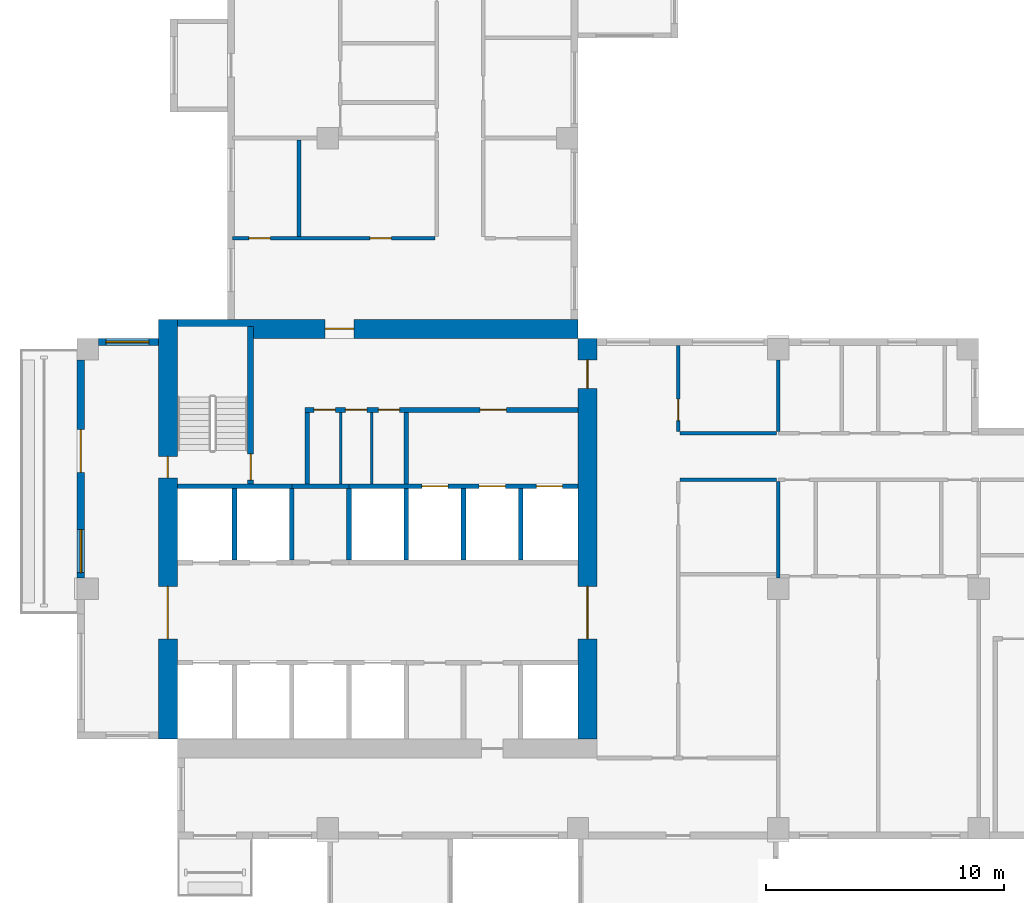
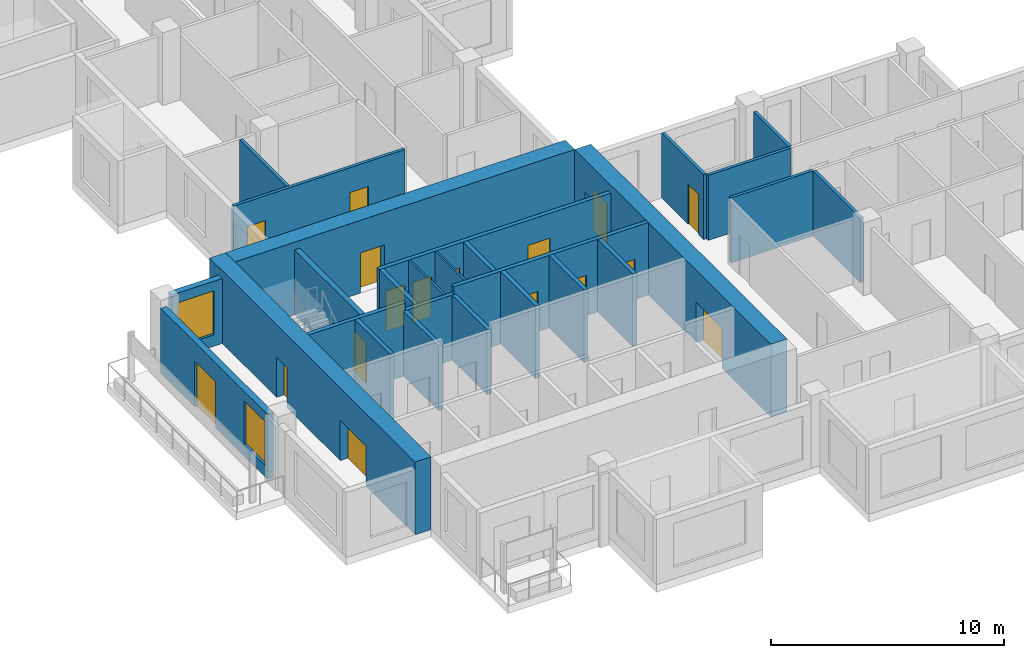
# One storey, part 3 of 12: 27 walls, 17 doors, 2 windows, 19 openings.
"""IFC4 building model written with IfcOpenShell, lengths in metres."""

from ifc_helpers import new_model, si_unit, direction, frame, frame_2d, origin, place, context, subcontext, project, spatial, rectangle, extrude, source, transform, mapped, material, layer, layer_set, type_object, element, fill, save


model = new_model("IFC4")

# Units and contexts
model_context = context("Model", 3, precision=1e-05, world=origin(), true_north=direction((0.0, 1.0)))
body_context = subcontext(model_context, "Body", "Model", "MODEL_VIEW")
ifc_project = project(units=[si_unit("LENGTHUNIT", "METRE"), si_unit("AREAUNIT", "SQUARE_METRE"), si_unit("VOLUMEUNIT", "CUBIC_METRE"), si_unit("PLANEANGLEUNIT", "RADIAN"), si_unit("MASSUNIT", "GRAM", prefix="KILO")], contexts=[model_context])

# Site, building, storey
site_placement = place(None, origin())
site = spatial("IfcSite", under=ifc_project, at=site_placement, CompositionType="ELEMENT")
building_placement = place(site_placement, origin())
building = spatial("IfcBuilding", under=site, at=building_placement, Name="Aurelian Terraces", CompositionType="ELEMENT")
storey_placement = place(building_placement, frame((0.0, 0.0, 223.4)))
storey = spatial("IfcBuildingStorey", under=building, at=storey_placement, Name="L50", CompositionType="ELEMENT", Elevation=223.4)

# Wall, openings, doors
ifc_material_1 = material(Name="Concrete fc' 70 MPa", Category="concrete")
ifc_layer_1 = layer(ifc_material_1, 0.8)
ifc_layer_set_1 = layer_set([ifc_layer_1], Name="CORE WALL 800 FC70")
wall_type_1 = type_object("IfcWallType", Name="CORE WALL 800 FC70", PredefinedType="SHEAR", material=ifc_layer_set_1)
shared_shape_1 = source(origin(), body_context, "Body", "SweptSolid", [
    extrude(rectangle(XDim=17.6, YDim=0.8, at=frame_2d((8.8, 0.0))), origin(), (0.0, 0.0, 1.0), 3.8),
])
wall_1_placement = place(storey_placement, frame((3.8, 4.2, 0.0), z_axis=(0.0, 0.0, 1.0), x_axis=(0.0, 1.0, 0.0)))
wall_1 = element("IfcWall", 1, at=wall_1_placement, inside=storey, type_object=wall_type_1, Name="Core wall W L50", PredefinedType="SHEAR", context=body_context, shape_type="MappedRepresentation", body=[
    mapped(shared_shape_1, transform((0.0, 0.0, 0.0), scale=1.0)),
])
shared_shape_2 = source(origin(), body_context, "Body", "SweptSolid", [
    extrude(rectangle(XDim=2.2, YDim=2.1, at=frame_2d((1.1, 1.05))), frame((0.0, 0.41, 0.0), z_axis=(0.0, -1.0, 0.0), x_axis=(1.0, 0.0, 0.0)), (0.0, 0.0, 1.0), 0.82),
])
opening_1_placement = place(wall_1_placement, frame((4.2, 0.0, 0.0)))
opening_1 = element("IfcOpeningElement", 2, at=opening_1_placement, cuts=wall_1, Name="Opening 65324", PredefinedType="OPENING", context=body_context, shape_type="MappedRepresentation", body=[
    mapped(shared_shape_2, transform((0.0, 0.0, 0.0), scale=1.0)),
])
shared_shape_3 = source(origin(), body_context, "Body", "SweptSolid", [
    extrude(rectangle(XDim=0.9, YDim=2.1, at=frame_2d((0.45, 1.05))), frame((0.0, 0.41, 0.0), z_axis=(0.0, -1.0, 0.0), x_axis=(1.0, 0.0, 0.0)), (0.0, 0.0, 1.0), 0.82),
])
opening_2_placement = place(wall_1_placement, frame((10.95, 0.0, 0.0)))
opening_2 = element("IfcOpeningElement", 3, at=opening_2_placement, cuts=wall_1, Name="Opening 65328", PredefinedType="OPENING", context=body_context, shape_type="MappedRepresentation", body=[
    mapped(shared_shape_3, transform((0.0, 0.0, 0.0), scale=1.0)),
])
ifc_material_2 = material(Name="Steel door leaf", Category="steel")
door_type_1 = type_object("IfcDoorType", Name="Core service door 900x2100", OperationType="SINGLE_SWING_LEFT", PredefinedType="DOOR", material=ifc_material_2)
shared_shape_4 = source(origin(), body_context, "Body", "SweptSolid", [
    extrude(rectangle(XDim=0.9, YDim=2.1, at=frame_2d((0.45, 1.05))), frame((0.0, 0.025, 0.0), z_axis=(0.0, -1.0, 0.0), x_axis=(1.0, 0.0, 0.0)), (0.0, 0.0, 1.0), 0.05),
])
door_1_placement = place(opening_2_placement, origin())
door_1 = element("IfcDoor", 4, at=door_1_placement, inside=storey, type_object=door_type_1, Name="Core door 65328", OperationType="SINGLE_SWING_LEFT", OverallHeight=2.1, OverallWidth=0.9, PredefinedType="DOOR", context=body_context, shape_type="MappedRepresentation", body=[
    mapped(shared_shape_4, transform((0.0, 0.0, 0.0), scale=1.0)),
])
fill(opening_2, door_1)
door_type_2 = type_object("IfcDoorType", Name="Core double door 2200x2100", OperationType="DOUBLE_DOOR_SINGLE_SWING", PredefinedType="DOOR", material=ifc_material_2)
shared_shape_5 = source(origin(), body_context, "Body", "SweptSolid", [
    extrude(rectangle(XDim=2.2, YDim=2.1, at=frame_2d((1.1, 1.05))), frame((0.0, 0.025, 0.0), z_axis=(0.0, -1.0, 0.0), x_axis=(1.0, 0.0, 0.0)), (0.0, 0.0, 1.0), 0.05),
])
door_2_placement = place(opening_1_placement, origin())
door_2 = element("IfcDoor", 5, at=door_2_placement, inside=storey, type_object=door_type_2, Name="Core door 65324", OperationType="DOUBLE_DOOR_SINGLE_SWING", OverallHeight=2.1, OverallWidth=2.2, PredefinedType="DOOR", context=body_context, shape_type="MappedRepresentation", body=[
    mapped(shared_shape_5, transform((0.0, 0.0, 0.0), scale=1.0)),
])
fill(opening_1, door_2)

shared_shape_6 = source(origin(), body_context, "Body", "SweptSolid", [
    extrude(rectangle(XDim=16.8, YDim=0.8, at=frame_2d((8.4, 0.0))), origin(), (0.0, 0.0, 1.0), 3.8),
])
wall_2_placement = place(storey_placement, frame((21.4, 4.2, 0.0), z_axis=(0.0, 0.0, 1.0), x_axis=(0.0, 1.0, 0.0)))
wall_2 = element("IfcWall", 6, at=wall_2_placement, inside=storey, type_object=wall_type_1, Name="Core wall E L50", PredefinedType="SHEAR", context=body_context, shape_type="MappedRepresentation", body=[
    mapped(shared_shape_6, transform((0.0, 0.0, 0.0), scale=1.0)),
])
opening_3_placement = place(wall_2_placement, frame((4.2, 0.0, 0.0)))
opening_3 = element("IfcOpeningElement", 7, at=opening_3_placement, cuts=wall_2, Name="Opening 65323", PredefinedType="OPENING", context=body_context, shape_type="MappedRepresentation", body=[
    mapped(shared_shape_2, transform((0.0, 0.0, 0.0), scale=1.0)),
])
shared_shape_7 = source(origin(), body_context, "Body", "SweptSolid", [
    extrude(rectangle(XDim=1.2, YDim=2.1, at=frame_2d((0.6, 1.05))), frame((0.0, 0.41, 0.0), z_axis=(0.0, -1.0, 0.0), x_axis=(1.0, 0.0, 0.0)), (0.0, 0.0, 1.0), 0.82),
])
opening_4_placement = place(wall_2_placement, frame((14.7, 0.0, 0.0)))
opening_4 = element("IfcOpeningElement", 8, at=opening_4_placement, cuts=wall_2, Name="Opening 65326", PredefinedType="OPENING", context=body_context, shape_type="MappedRepresentation", body=[
    mapped(shared_shape_7, transform((0.0, 0.0, 0.0), scale=1.0)),
])
door_type_3 = type_object("IfcDoorType", Name="Core fire door 1200x2100", OperationType="SINGLE_SWING_LEFT", PredefinedType="DOOR", material=ifc_material_2)
shared_shape_8 = source(origin(), body_context, "Body", "SweptSolid", [
    extrude(rectangle(XDim=1.2, YDim=2.1, at=frame_2d((0.6, 1.05))), frame((0.0, 0.025, 0.0), z_axis=(0.0, -1.0, 0.0), x_axis=(1.0, 0.0, 0.0)), (0.0, 0.0, 1.0), 0.05),
])
door_3_placement = place(opening_4_placement, origin())
door_3 = element("IfcDoor", 9, at=door_3_placement, inside=storey, type_object=door_type_3, Name="Core door 65326", OperationType="SINGLE_SWING_LEFT", OverallHeight=2.1, OverallWidth=1.2, PredefinedType="DOOR", context=body_context, shape_type="MappedRepresentation", body=[
    mapped(shared_shape_8, transform((0.0, 0.0, 0.0), scale=1.0)),
])
fill(opening_4, door_3)
door_4_placement = place(opening_3_placement, origin())
door_4 = element("IfcDoor", 10, at=door_4_placement, inside=storey, type_object=door_type_2, Name="Core door 65323", OperationType="DOUBLE_DOOR_SINGLE_SWING", OverallHeight=2.1, OverallWidth=2.2, PredefinedType="DOOR", context=body_context, shape_type="MappedRepresentation", body=[
    mapped(shared_shape_5, transform((0.0, 0.0, 0.0), scale=1.0)),
])
fill(opening_3, door_4)

# Wall, opening, door
wall_3_placement = place(storey_placement, frame((4.2, 21.4, 0.0), z_axis=(0.0, 0.0, 1.0), x_axis=(1.0, 0.0, 0.0)))
wall_3 = element("IfcWall", 11, at=wall_3_placement, inside=storey, type_object=wall_type_1, Name="Core wall N L50", PredefinedType="SHEAR", context=body_context, shape_type="MappedRepresentation", body=[
    mapped(shared_shape_6, transform((0.0, 0.0, 0.0), scale=1.0)),
])
opening_5_placement = place(wall_3_placement, frame((6.2, 0.0, 0.0)))
opening_5 = element("IfcOpeningElement", 12, at=opening_5_placement, cuts=wall_3, Name="Opening 65325", PredefinedType="OPENING", context=body_context, shape_type="MappedRepresentation", body=[
    mapped(shared_shape_7, transform((0.0, 0.0, 0.0), scale=1.0)),
])
door_type_4 = type_object("IfcDoorType", Name="Core fire door 1200x2100 right", OperationType="SINGLE_SWING_RIGHT", PredefinedType="DOOR", material=ifc_material_2)
door_5_placement = place(opening_5_placement, origin())
door_5 = element("IfcDoor", 13, at=door_5_placement, inside=storey, type_object=door_type_4, Name="Core door 65325", OperationType="SINGLE_SWING_RIGHT", OverallHeight=2.1, OverallWidth=1.2, PredefinedType="DOOR", context=body_context, shape_type="MappedRepresentation", body=[
    mapped(shared_shape_8, transform((0.0, 0.0, 0.0), scale=1.0)),
])
fill(opening_5, door_5)

# Wall, opening, window
ifc_material_3 = material(Name="Terracotta rainscreen cladding", Category="masonry")
ifc_layer_2 = layer(ifc_material_3, 0.3)
ifc_layer_set_2 = layer_set([ifc_layer_2], Name="EW-300")
wall_type_2 = type_object("IfcWallType", Name="EW-300", PredefinedType="STANDARD", material=ifc_layer_set_2)
shared_shape_9 = source(origin(), body_context, "Body", "SweptSolid", [
    extrude(rectangle(XDim=2.5, YDim=0.3, at=frame_2d((1.25, 0.0))), origin(), (0.0, 0.0, 1.0), 3.4),
])
wall_4_placement = place(storey_placement, frame((3.4, 20.85, 0.0), z_axis=(0.0, 0.0, 1.0), x_axis=(-1.0, 0.0, 0.0)))
wall_4 = element("IfcWall", 14, at=wall_4_placement, inside=storey, type_object=wall_type_2, Name="External wall L50 F19.33", PredefinedType="STANDARD", context=body_context, shape_type="MappedRepresentation", body=[
    mapped(shared_shape_9, transform((0.0, 0.0, 0.0), scale=1.0)),
])
shared_shape_10 = source(origin(), body_context, "Body", "SweptSolid", [
    extrude(rectangle(XDim=1.8, YDim=2.3, at=frame_2d((0.9, 1.15))), frame((0.0, 0.16, 0.0), z_axis=(0.0, -1.0, 0.0), x_axis=(1.0, 0.0, 0.0)), (0.0, 0.0, 1.0), 0.32),
])
opening_6_placement = place(wall_4_placement, frame((0.4, 0.0, 0.6)))
opening_6 = element("IfcOpeningElement", 15, at=opening_6_placement, cuts=wall_4, Name="Opening W1823", PredefinedType="OPENING", context=body_context, shape_type="MappedRepresentation", body=[
    mapped(shared_shape_10, transform((0.0, 0.0, 0.0), scale=1.0)),
])
ifc_material_4 = material(Name="Clear glazing", Category="glass")
window_type = type_object("IfcWindowType", Name="W-1800x2300", PartitioningType="SINGLE_PANEL", PredefinedType="WINDOW", material=ifc_material_4)
shared_shape_11 = source(origin(), body_context, "Body", "SweptSolid", [
    extrude(rectangle(XDim=1.8, YDim=2.3, at=frame_2d((0.9, 1.15))), frame((0.0, 0.03, 0.0), z_axis=(0.0, -1.0, 0.0), x_axis=(1.0, 0.0, 0.0)), (0.0, 0.0, 1.0), 0.06),
])
window_1_placement = place(opening_6_placement, origin())
window_1 = element("IfcWindow", 16, at=window_1_placement, inside=storey, type_object=window_type, Name="Window L50 L50-F19-33-0", OverallHeight=2.3, OverallWidth=1.8, PartitioningType="SINGLE_PANEL", PredefinedType="WINDOW", context=body_context, shape_type="MappedRepresentation", body=[
    mapped(shared_shape_11, transform((0.0, 0.0, 0.0), scale=1.0)),
])
fill(opening_6, window_1)

# Wall, openings, door, window
shared_shape_12 = source(origin(), body_context, "Body", "SweptSolid", [
    extrude(rectangle(XDim=9.15, YDim=0.3, at=frame_2d((4.575, 0.0))), origin(), (0.0, 0.0, 1.0), 3.4),
])
wall_5_placement = place(storey_placement, frame((0.15, 20.1, 0.0), z_axis=(0.0, 0.0, 1.0), x_axis=(0.0, -1.0, 0.0)))
wall_5 = element("IfcWall", 17, at=wall_5_placement, inside=storey, type_object=wall_type_2, Name="External wall L50 F20.34", PredefinedType="STANDARD", context=body_context, shape_type="MappedRepresentation", body=[
    mapped(shared_shape_12, transform((0.0, 0.0, 0.0), scale=1.0)),
])
shared_shape_13 = source(origin(), body_context, "Body", "SweptSolid", [
    extrude(rectangle(XDim=1.8, YDim=2.4, at=frame_2d((0.9, 1.2))), frame((0.0, 0.16, 0.0), z_axis=(0.0, -1.0, 0.0), x_axis=(1.0, 0.0, 0.0)), (0.0, 0.0, 1.0), 0.32),
])
opening_7_placement = place(wall_5_placement, frame((2.925, 0.0, 0.0)))
opening_7 = element("IfcOpeningElement", 18, at=opening_7_placement, cuts=wall_5, Name="Opening 85003", PredefinedType="OPENING", context=body_context, shape_type="MappedRepresentation", body=[
    mapped(shared_shape_13, transform((0.0, 0.0, 0.0), scale=1.0)),
])
opening_8_placement = place(wall_5_placement, frame((7.125, 0.0, 0.6)))
opening_8 = element("IfcOpeningElement", 19, at=opening_8_placement, cuts=wall_5, Name="Opening W1823", PredefinedType="OPENING", context=body_context, shape_type="MappedRepresentation", body=[
    mapped(shared_shape_10, transform((0.0, 0.0, 0.0), scale=1.0)),
])
door_type_5 = type_object("IfcDoorType", Name="BD-1800x2400", OperationType="SLIDING_TO_LEFT", PredefinedType="DOOR", material=ifc_material_4)
shared_shape_14 = source(origin(), body_context, "Body", "SweptSolid", [
    extrude(rectangle(XDim=1.8, YDim=2.4, at=frame_2d((0.9, 1.2))), frame((0.0, 0.025, 0.0), z_axis=(0.0, -1.0, 0.0), x_axis=(1.0, 0.0, 0.0)), (0.0, 0.0, 1.0), 0.05),
])
door_6_placement = place(opening_7_placement, origin())
door_6 = element("IfcDoor", 20, at=door_6_placement, inside=storey, type_object=door_type_5, Name="Balcony door L50 F20.34", OperationType="SLIDING_TO_LEFT", OverallHeight=2.4, OverallWidth=1.8, PredefinedType="DOOR", context=body_context, shape_type="MappedRepresentation", body=[
    mapped(shared_shape_14, transform((0.0, 0.0, 0.0), scale=1.0)),
])
fill(opening_7, door_6)
window_2_placement = place(opening_8_placement, origin())
window_2 = element("IfcWindow", 21, at=window_2_placement, inside=storey, type_object=window_type, Name="Window L50 L50-F20-34-2", OverallHeight=2.3, OverallWidth=1.8, PartitioningType="SINGLE_PANEL", PredefinedType="WINDOW", context=body_context, shape_type="MappedRepresentation", body=[
    mapped(shared_shape_11, transform((0.0, 0.0, 0.0), scale=1.0)),
])
fill(opening_8, window_2)

# Walls
ifc_material_5 = material(Name="Concrete fc' 40 MPa", Category="concrete")
ifc_layer_3 = layer(ifc_material_5, 0.2)
ifc_layer_set_3 = layer_set([ifc_layer_3], Name="Lift shaft wall 200")
wall_type_3 = type_object("IfcWallType", Name="Lift shaft wall 200", PredefinedType="SOLIDWALL", material=ifc_layer_set_3)
shared_shape_15 = source(origin(), body_context, "Body", "SweptSolid", [
    extrude(rectangle(XDim=3.0, YDim=0.2, at=frame_2d((1.5, 0.0))), origin(), (0.0, 0.0, 1.0), 3.4),
])
for number, where, z_axis, x_axis, name in (
    (22, (9.0, 11.7, 0.0), (0.0, 0.0, 1.0), (0.0, 1.0, 0.0), "L50 core wall CD-B2"),
    (23, (11.4, 11.7, 0.0), (0.0, 0.0, 1.0), (0.0, 1.0, 0.0), "L50 core wall CD-B3"),
):
    element("IfcWall", number, at=place(storey_placement, frame(where, z_axis=z_axis, x_axis=x_axis)), inside=storey, type_object=wall_type_3, Name=name, PredefinedType="SOLIDWALL", context=body_context, shape_type="MappedRepresentation", body=[
        mapped(shared_shape_15, transform((0.0, 0.0, 0.0), scale=1.0)),
    ])
shared_shape_16 = source(origin(), body_context, "Body", "SweptSolid", [
    extrude(rectangle(XDim=3.0, YDim=0.2, at=frame_2d((1.5, 0.0))), origin(), (0.0, 0.0, 1.0), 3.8),
])
for number, where, z_axis, x_axis, name in (
    (24, (6.6, 11.7, 0.0), (0.0, 0.0, 1.0), (0.0, 1.0, 0.0), "L50 core wall CD-B1"),
    (25, (13.8, 11.7, 0.0), (0.0, 0.0, 1.0), (0.0, 1.0, 0.0), "L50 core wall CD-B4"),
    (26, (16.2, 11.7, 0.0), (0.0, 0.0, 1.0), (0.0, 1.0, 0.0), "L50 core wall CD-B5"),
    (27, (18.6, 11.7, 0.0), (0.0, 0.0, 1.0), (0.0, 1.0, 0.0), "L50 core wall CD-B6"),
):
    element("IfcWall", number, at=place(storey_placement, frame(where, z_axis=z_axis, x_axis=x_axis)), inside=storey, type_object=wall_type_3, Name=name, PredefinedType="SOLIDWALL", context=body_context, shape_type="MappedRepresentation", body=[
        mapped(shared_shape_16, transform((0.0, 0.0, 0.0), scale=1.0)),
    ])

# Wall, openings, doors
shared_shape_17 = source(origin(), body_context, "Body", "SweptSolid", [
    extrude(rectangle(XDim=9.6, YDim=0.2, at=frame_2d((4.8, 0.0))), origin(), (0.0, 0.0, 1.0), 3.8),
])
wall_6_placement = place(storey_placement, frame((11.4, 14.8, 0.0), z_axis=(0.0, 0.0, 1.0), x_axis=(1.0, 0.0, 0.0)))
wall_6 = element("IfcWall", 28, at=wall_6_placement, inside=storey, type_object=wall_type_3, Name="L50 core wall CF-BB3", PredefinedType="SOLIDWALL", context=body_context, shape_type="MappedRepresentation", body=[
    mapped(shared_shape_17, transform((0.0, 0.0, 0.0), scale=1.0)),
])
shared_shape_18 = source(origin(), body_context, "Body", "SweptSolid", [
    extrude(rectangle(XDim=1.1, YDim=2.1, at=frame_2d((0.55, 1.05))), frame((0.0, 0.11, 0.0), z_axis=(0.0, -1.0, 0.0), x_axis=(1.0, 0.0, 0.0)), (0.0, 0.0, 1.0), 0.22),
])
opening_9_placement = place(wall_6_placement, frame((3.05, 0.0, 0.0)))
opening_9 = element("IfcOpeningElement", 29, at=opening_9_placement, cuts=wall_6, Name="Opening 65309", PredefinedType="OPENING", context=body_context, shape_type="MappedRepresentation", body=[
    mapped(shared_shape_18, transform((0.0, 0.0, 0.0), scale=1.0)),
])
opening_10_placement = place(wall_6_placement, frame((5.45, 0.0, 0.0)))
opening_10 = element("IfcOpeningElement", 30, at=opening_10_placement, cuts=wall_6, Name="Opening 65310", PredefinedType="OPENING", context=body_context, shape_type="MappedRepresentation", body=[
    mapped(shared_shape_18, transform((0.0, 0.0, 0.0), scale=1.0)),
])
opening_11_placement = place(wall_6_placement, frame((7.85, 0.0, 0.0)))
opening_11 = element("IfcOpeningElement", 31, at=opening_11_placement, cuts=wall_6, Name="Opening 65311", PredefinedType="OPENING", context=body_context, shape_type="MappedRepresentation", body=[
    mapped(shared_shape_18, transform((0.0, 0.0, 0.0), scale=1.0)),
])
ifc_material_6 = material(Name="Stainless steel", Category="steel")
door_type_6 = type_object("IfcDoorType", Name="Lift landing door 1100x2100", OperationType="SLIDING_TO_LEFT", PredefinedType="DOOR", material=ifc_material_6)
shared_shape_19 = source(origin(), body_context, "Body", "SweptSolid", [
    extrude(rectangle(XDim=1.1, YDim=2.1, at=frame_2d((0.55, 1.05))), frame((0.0, 0.025, 0.0), z_axis=(0.0, -1.0, 0.0), x_axis=(1.0, 0.0, 0.0)), (0.0, 0.0, 1.0), 0.05),
])
door_7_placement = place(opening_9_placement, origin())
door_7 = element("IfcDoor", 32, at=door_7_placement, inside=storey, type_object=door_type_6, Name="Lift landing door F1 L50", OperationType="SLIDING_TO_LEFT", OverallHeight=2.1, OverallWidth=1.1, PredefinedType="DOOR", context=body_context, shape_type="MappedRepresentation", body=[
    mapped(shared_shape_19, transform((0.0, 0.0, 0.0), scale=1.0)),
])
fill(opening_9, door_7)
door_8_placement = place(opening_10_placement, origin())
door_8 = element("IfcDoor", 33, at=door_8_placement, inside=storey, type_object=door_type_6, Name="Lift landing door F2 L50", OperationType="SLIDING_TO_LEFT", OverallHeight=2.1, OverallWidth=1.1, PredefinedType="DOOR", context=body_context, shape_type="MappedRepresentation", body=[
    mapped(shared_shape_19, transform((0.0, 0.0, 0.0), scale=1.0)),
])
fill(opening_10, door_8)
door_9_placement = place(opening_11_placement, origin())
door_9 = element("IfcDoor", 34, at=door_9_placement, inside=storey, type_object=door_type_6, Name="Lift landing door F3 L50", OperationType="SLIDING_TO_LEFT", OverallHeight=2.1, OverallWidth=1.1, PredefinedType="DOOR", context=body_context, shape_type="MappedRepresentation", body=[
    mapped(shared_shape_19, transform((0.0, 0.0, 0.0), scale=1.0)),
])
fill(opening_11, door_9)

# Walls
shared_shape_20 = source(origin(), body_context, "Body", "SweptSolid", [
    extrude(rectangle(XDim=4.8, YDim=0.2, at=frame_2d((2.4, 0.0))), origin(), (0.0, 0.0, 1.0), 3.8),
])
wall_7_placement = place(storey_placement, frame((4.2, 14.8, 0.0), z_axis=(0.0, 0.0, 1.0), x_axis=(1.0, 0.0, 0.0)))
element("IfcWall", 35, at=wall_7_placement, inside=storey, type_object=wall_type_3, Name="L50 core wall CF-BB1", PredefinedType="SOLIDWALL", context=body_context, shape_type="MappedRepresentation", body=[
    mapped(shared_shape_20, transform((0.0, 0.0, 0.0), scale=1.0)),
])
shared_shape_21 = source(origin(), body_context, "Body", "SweptSolid", [
    extrude(rectangle(XDim=2.4, YDim=0.2, at=frame_2d((1.2, 0.0))), origin(), (0.0, 0.0, 1.0), 3.4),
])
wall_8_placement = place(storey_placement, frame((9.0, 14.8, 0.0), z_axis=(0.0, 0.0, 1.0), x_axis=(1.0, 0.0, 0.0)))
element("IfcWall", 36, at=wall_8_placement, inside=storey, type_object=wall_type_3, Name="L50 core wall CF-BB2", PredefinedType="SOLIDWALL", context=body_context, shape_type="MappedRepresentation", body=[
    mapped(shared_shape_21, transform((0.0, 0.0, 0.0), scale=1.0)),
])
ifc_material_7 = material(Name="Gypsum board on steel studs", Category="steel")
ifc_layer_4 = layer(ifc_material_7, 0.2)
ifc_layer_set_4 = layer_set([ifc_layer_4], Name="Core partition 200")
wall_type_4 = type_object("IfcWallType", Name="Core partition 200", PredefinedType="PARTITIONING", material=ifc_layer_set_4)
shared_shape_22 = source(origin(), body_context, "Body", "SweptSolid", [
    extrude(rectangle(XDim=3.0, YDim=0.2, at=frame_2d((1.5, 0.0))), origin(), (0.0, 0.0, 1.0), 3.4),
])
for number, where, z_axis, x_axis, name in (
    (37, (9.65, 14.9, 0.0), (0.0, 0.0, 1.0), (0.0, 1.0, 0.0), "L50 core wall CP-VEST"),
    (38, (13.8, 14.9, 0.0), (0.0, 0.0, 1.0), (0.0, 1.0, 0.0), "L50 core wall CP-FFL"),
):
    element("IfcWall", number, at=place(storey_placement, frame(where, z_axis=z_axis, x_axis=x_axis)), inside=storey, type_object=wall_type_4, Name=name, PredefinedType="PARTITIONING", context=body_context, shape_type="MappedRepresentation", body=[
        mapped(shared_shape_22, transform((0.0, 0.0, 0.0), scale=1.0)),
    ])
ifc_layer_5 = layer(ifc_material_7, 0.1)
ifc_layer_set_5 = layer_set([ifc_layer_5], Name="Core partition 100")
wall_type_5 = type_object("IfcWallType", Name="Core partition 100", PredefinedType="PARTITIONING", material=ifc_layer_set_5)
shared_shape_23 = source(origin(), body_context, "Body", "SweptSolid", [
    extrude(rectangle(XDim=3.0, YDim=0.1, at=frame_2d((1.5, 0.0))), origin(), (0.0, 0.0, 1.0), 3.4),
])
for number, where, z_axis, x_axis, name in (
    (39, (11.05, 14.9, 0.0), (0.0, 0.0, 1.0), (0.0, 1.0, 0.0), "L50 core wall CP-SV1"),
    (40, (12.35, 14.9, 0.0), (0.0, 0.0, 1.0), (0.0, 1.0, 0.0), "L50 core wall CP-SV2"),
):
    element("IfcWall", number, at=place(storey_placement, frame(where, z_axis=z_axis, x_axis=x_axis)), inside=storey, type_object=wall_type_5, Name=name, PredefinedType="PARTITIONING", context=body_context, shape_type="MappedRepresentation", body=[
        mapped(shared_shape_23, transform((0.0, 0.0, 0.0), scale=1.0)),
    ])

# Wall, opening, door
ifc_layer_6 = layer(ifc_material_5, 0.25)
ifc_layer_set_6 = layer_set([ifc_layer_6], Name="Stair enclosure wall 250")
wall_type_6 = type_object("IfcWallType", Name="Stair enclosure wall 250", PredefinedType="SOLIDWALL", material=ifc_layer_set_6)
shared_shape_24 = source(origin(), body_context, "Body", "SweptSolid", [
    extrude(rectangle(XDim=6.6, YDim=0.25, at=frame_2d((3.3, 0.0))), origin(), (0.0, 0.0, 1.0), 3.4),
])
wall_9_placement = place(storey_placement, frame((7.275, 14.9, 0.0), z_axis=(0.0, 0.0, 1.0), x_axis=(0.0, 1.0, 0.0)))
wall_9 = element("IfcWall", 41, at=wall_9_placement, inside=storey, type_object=wall_type_6, Name="L50 core wall ST-S1-E", PredefinedType="SOLIDWALL", context=body_context, shape_type="MappedRepresentation", body=[
    mapped(shared_shape_24, transform((0.0, 0.0, 0.0), scale=1.0)),
])
shared_shape_25 = source(origin(), body_context, "Body", "SweptSolid", [
    extrude(rectangle(XDim=1.1, YDim=2.1, at=frame_2d((0.55, 1.05))), frame((0.0, 0.135, 0.0), z_axis=(0.0, -1.0, 0.0), x_axis=(1.0, 0.0, 0.0)), (0.0, 0.0, 1.0), 0.27),
])
opening_12_placement = place(wall_9_placement, frame((0.15, 0.0, 0.0)))
opening_12 = element("IfcOpeningElement", 42, at=opening_12_placement, cuts=wall_9, Name="Opening 65312", PredefinedType="OPENING", context=body_context, shape_type="MappedRepresentation", body=[
    mapped(shared_shape_25, transform((0.0, 0.0, 0.0), scale=1.0)),
])
door_type_7 = type_object("IfcDoorType", Name="Core fire door 1100x2100 right", OperationType="SINGLE_SWING_RIGHT", PredefinedType="DOOR", material=ifc_material_2)
door_10_placement = place(opening_12_placement, origin())
door_10 = element("IfcDoor", 43, at=door_10_placement, inside=storey, type_object=door_type_7, Name="Stair door 65312", OperationType="SINGLE_SWING_RIGHT", OverallHeight=2.1, OverallWidth=1.1, PredefinedType="DOOR", context=body_context, shape_type="MappedRepresentation", body=[
    mapped(shared_shape_19, transform((0.0, 0.0, 0.0), scale=1.0)),
])
fill(opening_12, door_10)

# Wall, openings, doors
shared_shape_26 = source(origin(), body_context, "Body", "SweptSolid", [
    extrude(rectangle(XDim=11.45, YDim=0.2, at=frame_2d((5.725, 0.0))), origin(), (0.0, 0.0, 1.0), 3.4),
])
wall_10_placement = place(storey_placement, frame((9.55, 18.0, 0.0), z_axis=(0.0, 0.0, 1.0), x_axis=(1.0, 0.0, 0.0)))
wall_10 = element("IfcWall", 44, at=wall_10_placement, inside=storey, type_object=wall_type_4, Name="L50 core wall CP-NORTH", PredefinedType="PARTITIONING", context=body_context, shape_type="MappedRepresentation", body=[
    mapped(shared_shape_26, transform((0.0, 0.0, 0.0), scale=1.0)),
])
shared_shape_27 = source(origin(), body_context, "Body", "SweptSolid", [
    extrude(rectangle(XDim=0.9, YDim=2.1, at=frame_2d((0.45, 1.05))), frame((0.0, 0.11, 0.0), z_axis=(0.0, -1.0, 0.0), x_axis=(1.0, 0.0, 0.0)), (0.0, 0.0, 1.0), 0.22),
])
opening_13_placement = place(wall_10_placement, frame((0.375, 0.0, 0.0)))
opening_13 = element("IfcOpeningElement", 45, at=opening_13_placement, cuts=wall_10, Name="Opening 65313", PredefinedType="OPENING", context=body_context, shape_type="MappedRepresentation", body=[
    mapped(shared_shape_27, transform((0.0, 0.0, 0.0), scale=1.0)),
])
opening_14_placement = place(wall_10_placement, frame((1.7, 0.0, 0.0)))
opening_14 = element("IfcOpeningElement", 46, at=opening_14_placement, cuts=wall_10, Name="Opening 65314", PredefinedType="OPENING", context=body_context, shape_type="MappedRepresentation", body=[
    mapped(shared_shape_27, transform((0.0, 0.0, 0.0), scale=1.0)),
])
opening_15_placement = place(wall_10_placement, frame((3.075, 0.0, 0.0)))
opening_15 = element("IfcOpeningElement", 47, at=opening_15_placement, cuts=wall_10, Name="Opening 65315", PredefinedType="OPENING", context=body_context, shape_type="MappedRepresentation", body=[
    mapped(shared_shape_27, transform((0.0, 0.0, 0.0), scale=1.0)),
])
opening_16_placement = place(wall_10_placement, frame((7.35, 0.0, 0.0)))
opening_16 = element("IfcOpeningElement", 48, at=opening_16_placement, cuts=wall_10, Name="Opening 65316", PredefinedType="OPENING", context=body_context, shape_type="MappedRepresentation", body=[
    mapped(shared_shape_18, transform((0.0, 0.0, 0.0), scale=1.0)),
])
door_type_8 = type_object("IfcDoorType", Name="Core riser door 900x2100", OperationType="SINGLE_SWING_LEFT", PredefinedType="DOOR", material=ifc_material_2)
door_11_placement = place(opening_13_placement, origin())
door_11 = element("IfcDoor", 49, at=door_11_placement, inside=storey, type_object=door_type_8, Name="Room door 65313", OperationType="SINGLE_SWING_LEFT", OverallHeight=2.1, OverallWidth=0.9, PredefinedType="DOOR", context=body_context, shape_type="MappedRepresentation", body=[
    mapped(shared_shape_4, transform((0.0, 0.0, 0.0), scale=1.0)),
])
fill(opening_13, door_11)
door_type_9 = type_object("IfcDoorType", Name="Core service door 900x2100 right", OperationType="SINGLE_SWING_RIGHT", PredefinedType="DOOR", material=ifc_material_2)
door_12_placement = place(opening_14_placement, origin())
door_12 = element("IfcDoor", 50, at=door_12_placement, inside=storey, type_object=door_type_9, Name="Room door 65314", OperationType="SINGLE_SWING_RIGHT", OverallHeight=2.1, OverallWidth=0.9, PredefinedType="DOOR", context=body_context, shape_type="MappedRepresentation", body=[
    mapped(shared_shape_4, transform((0.0, 0.0, 0.0), scale=1.0)),
])
fill(opening_14, door_12)
door_13_placement = place(opening_15_placement, origin())
door_13 = element("IfcDoor", 51, at=door_13_placement, inside=storey, type_object=door_type_1, Name="Room door 65315", OperationType="SINGLE_SWING_LEFT", OverallHeight=2.1, OverallWidth=0.9, PredefinedType="DOOR", context=body_context, shape_type="MappedRepresentation", body=[
    mapped(shared_shape_4, transform((0.0, 0.0, 0.0), scale=1.0)),
])
fill(opening_15, door_13)
door_14_placement = place(opening_16_placement, origin())
door_14 = element("IfcDoor", 52, at=door_14_placement, inside=storey, type_object=door_type_7, Name="Ff lobby door 65316", OperationType="SINGLE_SWING_RIGHT", OverallHeight=2.1, OverallWidth=1.1, PredefinedType="DOOR", context=body_context, shape_type="MappedRepresentation", body=[
    mapped(shared_shape_19, transform((0.0, 0.0, 0.0), scale=1.0)),
])
fill(opening_16, door_14)

# Wall, opening, door
ifc_layer_7 = layer(ifc_material_7, 0.15)
ifc_layer_set_7 = layer_set([ifc_layer_7], Name="Partition 150")
wall_type_7 = type_object("IfcWallType", Name="Partition 150", PredefinedType="PARTITIONING", material=ifc_layer_set_7)
shared_shape_28 = source(origin(), body_context, "Body", "SweptSolid", [
    extrude(rectangle(XDim=3.6, YDim=0.15, at=frame_2d((1.8, 0.0))), origin(), (0.0, 0.0, 1.0), 3.4),
])
wall_11_placement = place(storey_placement, frame((25.2, 20.7, 0.0), z_axis=(0.0, 0.0, 1.0), x_axis=(0.0, -1.0, 0.0)))
wall_11 = element("IfcWall", 53, at=wall_11_placement, inside=storey, type_object=wall_type_7, Name="Partition", PredefinedType="PARTITIONING", context=body_context, shape_type="MappedRepresentation", body=[
    mapped(shared_shape_28, transform((0.0, 0.0, 0.0), scale=1.0)),
])
shared_shape_29 = source(origin(), body_context, "Body", "SweptSolid", [
    extrude(rectangle(XDim=0.9, YDim=2.1, at=frame_2d((0.45, 1.05))), frame((0.0, 0.085, 0.0), z_axis=(0.0, -1.0, 0.0), x_axis=(1.0, 0.0, 0.0)), (0.0, 0.0, 1.0), 0.17),
])
opening_17_placement = place(wall_11_placement, frame((2.25, 0.0, 0.0)))
opening_17 = element("IfcOpeningElement", 54, at=opening_17_placement, cuts=wall_11, Name="Opening 750003", PredefinedType="OPENING", context=body_context, shape_type="MappedRepresentation", body=[
    mapped(shared_shape_29, transform((0.0, 0.0, 0.0), scale=1.0)),
])
ifc_material_8 = material(Name="Timber door leaf", Category="wood")
door_type_10 = type_object("IfcDoorType", Name="Room door 900x2100 left", OperationType="SINGLE_SWING_LEFT", PredefinedType="DOOR", material=ifc_material_8)
door_15_placement = place(opening_17_placement, origin())
door_15 = element("IfcDoor", 55, at=door_15_placement, inside=storey, type_object=door_type_10, Name="Door 750003", OperationType="SINGLE_SWING_LEFT", OverallHeight=2.1, OverallWidth=0.9, PredefinedType="DOOR", context=body_context, shape_type="MappedRepresentation", body=[
    mapped(shared_shape_4, transform((0.0, 0.0, 0.0), scale=1.0)),
])
fill(opening_17, door_15)

# Walls
shared_shape_30 = source(origin(), body_context, "Body", "SweptSolid", [
    extrude(rectangle(XDim=4.051, YDim=0.15, at=frame_2d((2.0255, 0.0))), origin(), (0.0, 0.0, 1.0), 3.4),
])
wall_12_placement = place(storey_placement, frame((29.4, 10.949, 0.0), z_axis=(0.0, 0.0, 1.0), x_axis=(0.0, 1.0, 0.0)))
element("IfcWall", 56, at=wall_12_placement, inside=storey, type_object=wall_type_7, Name="Partition", PredefinedType="PARTITIONING", context=body_context, shape_type="MappedRepresentation", body=[
    mapped(shared_shape_30, transform((0.0, 0.0, 0.0), scale=1.0)),
])
shared_shape_31 = source(origin(), body_context, "Body", "SweptSolid", [
    extrude(rectangle(XDim=3.001, YDim=0.15, at=frame_2d((1.5005, 0.0))), origin(), (0.0, 0.0, 1.0), 3.4),
])
wall_13_placement = place(storey_placement, frame((29.4, 17.1, 0.0), z_axis=(0.0, 0.0, 1.0), x_axis=(0.0, 1.0, 0.0)))
element("IfcWall", 57, at=wall_13_placement, inside=storey, type_object=wall_type_7, Name="Partition", PredefinedType="PARTITIONING", context=body_context, shape_type="MappedRepresentation", body=[
    mapped(shared_shape_31, transform((0.0, 0.0, 0.0), scale=1.0)),
])

# Wall, openings, doors
shared_shape_32 = source(origin(), body_context, "Body", "SweptSolid", [
    extrude(rectangle(XDim=8.495, YDim=0.15, at=frame_2d((4.2475, 0.0))), origin(), (0.0, 0.0, 1.0), 3.4),
])
wall_14_placement = place(storey_placement, frame((6.505, 25.2, 0.0), z_axis=(0.0, 0.0, 1.0), x_axis=(1.0, 0.0, 0.0)))
wall_14 = element("IfcWall", 58, at=wall_14_placement, inside=storey, type_object=wall_type_7, Name="Partition", PredefinedType="PARTITIONING", context=body_context, shape_type="MappedRepresentation", body=[
    mapped(shared_shape_32, transform((0.0, 0.0, 0.0), scale=1.0)),
])
opening_18_placement = place(wall_14_placement, frame((0.695, 0.0, 0.0)))
opening_18 = element("IfcOpeningElement", 59, at=opening_18_placement, cuts=wall_14, Name="Opening 750021", PredefinedType="OPENING", context=body_context, shape_type="MappedRepresentation", body=[
    mapped(shared_shape_29, transform((0.0, 0.0, 0.0), scale=1.0)),
])
opening_19_placement = place(wall_14_placement, frame((5.77, 0.0, 0.0)))
opening_19 = element("IfcOpeningElement", 60, at=opening_19_placement, cuts=wall_14, Name="Opening 750022", PredefinedType="OPENING", context=body_context, shape_type="MappedRepresentation", body=[
    mapped(shared_shape_29, transform((0.0, 0.0, 0.0), scale=1.0)),
])
door_16_placement = place(opening_18_placement, origin())
door_16 = element("IfcDoor", 61, at=door_16_placement, inside=storey, type_object=door_type_10, Name="Door 750021", OperationType="SINGLE_SWING_LEFT", OverallHeight=2.1, OverallWidth=0.9, PredefinedType="DOOR", context=body_context, shape_type="MappedRepresentation", body=[
    mapped(shared_shape_4, transform((0.0, 0.0, 0.0), scale=1.0)),
])
fill(opening_18, door_16)
door_type_11 = type_object("IfcDoorType", Name="Room door 900x2100 right", OperationType="SINGLE_SWING_RIGHT", PredefinedType="DOOR", material=ifc_material_8)
door_17_placement = place(opening_19_placement, origin())
door_17 = element("IfcDoor", 62, at=door_17_placement, inside=storey, type_object=door_type_11, Name="Door 750022", OperationType="SINGLE_SWING_RIGHT", OverallHeight=2.1, OverallWidth=0.9, PredefinedType="DOOR", context=body_context, shape_type="MappedRepresentation", body=[
    mapped(shared_shape_4, transform((0.0, 0.0, 0.0), scale=1.0)),
])
fill(opening_19, door_17)

# Walls
ifc_layer_8 = layer(ifc_material_7, 0.15)
ifc_layer_set_8 = layer_set([ifc_layer_8], Name="Fire partition 150")
wall_type_8 = type_object("IfcWallType", Name="Fire partition 150", PredefinedType="PARTITIONING", material=ifc_layer_set_8)
shared_shape_33 = source(origin(), body_context, "Body", "SweptSolid", [
    extrude(rectangle(XDim=4.05, YDim=0.15, at=frame_2d((2.025, 0.0))), origin(), (0.0, 0.0, 1.0), 3.4),
])
for number, where, z_axis, x_axis, name in (
    (63, (29.325, 15.075, 0.0), (0.0, 0.0, 1.0), (-1.0, 0.0, 0.0), "Corridor wall"),
    (64, (25.275, 17.025, 0.0), (0.0, 0.0, 1.0), (1.0, 0.0, 0.0), "Corridor wall"),
):
    element("IfcWall", number, at=place(storey_placement, frame(where, z_axis=z_axis, x_axis=x_axis)), inside=storey, type_object=wall_type_8, Name=name, PredefinedType="PARTITIONING", context=body_context, shape_type="MappedRepresentation", body=[
        mapped(shared_shape_33, transform((0.0, 0.0, 0.0), scale=1.0)),
    ])
wall_15_placement = place(storey_placement, frame((9.3, 25.275, 0.0), z_axis=(0.0, 0.0, 1.0), x_axis=(0.0, 1.0, 0.0)))
element("IfcWall", 65, at=wall_15_placement, inside=storey, type_object=wall_type_7, Name="Partition", PredefinedType="PARTITIONING", context=body_context, shape_type="MappedRepresentation", body=[
    mapped(shared_shape_33, transform((0.0, 0.0, 0.0), scale=1.0)),
])

save(model, "model.ifc")
